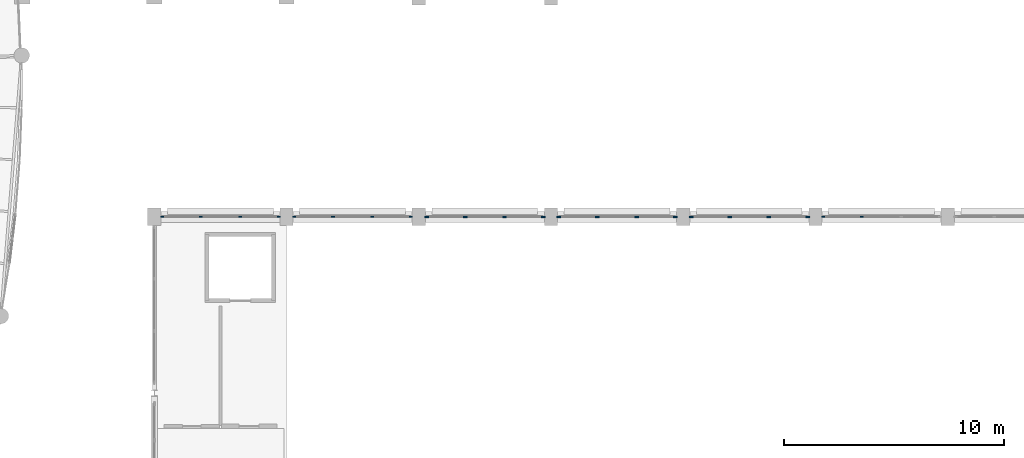
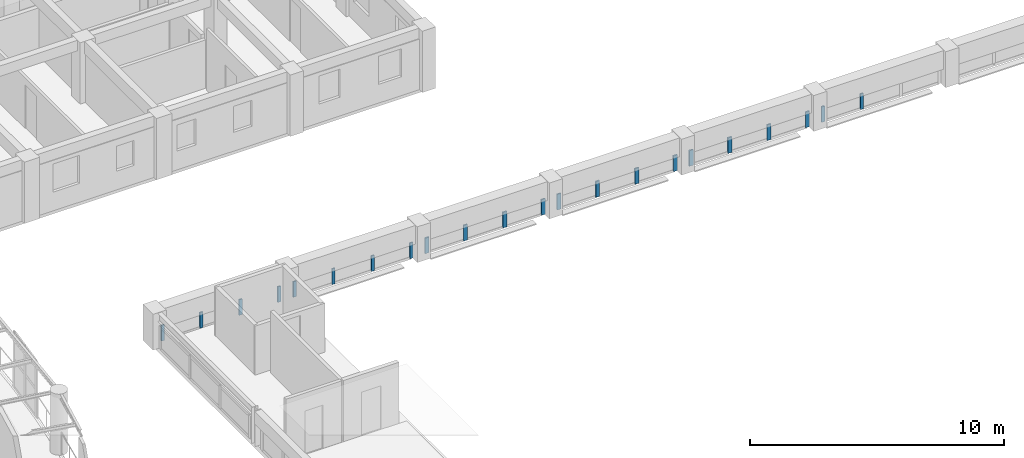
# One storey, part 71 of 137: 22 members, 6 elements without a shape of their own.
"""IFC4 building model written with IfcOpenShell, lengths in metres."""

from ifc_helpers import new_model, si_unit, direction, frame, origin, origin_2d, place, context, subcontext, project, spatial, rectangle, extrude, material, layer, layer_set, material_profile, profile_set, type_object, element, aggregate, save


model = new_model("IFC4")

# Units and contexts
model_context = context("Model", 3, precision=1e-05, world=origin(), true_north=direction((0.0, 1.0)))
body_context = subcontext(model_context, "Body", "Model", "MODEL_VIEW")
ifc_project = project(units=[si_unit("LENGTHUNIT", "METRE"), si_unit("AREAUNIT", "SQUARE_METRE"), si_unit("VOLUMEUNIT", "CUBIC_METRE"), si_unit("PLANEANGLEUNIT", "RADIAN"), si_unit("MASSUNIT", "GRAM", prefix="KILO"), si_unit("POWERUNIT", "WATT"), si_unit("THERMODYNAMICTEMPERATUREUNIT", "KELVIN")], contexts=[model_context])

# Site, building, storey
site_placement = place(None, origin())
site = spatial("IfcSite", under=ifc_project, at=site_placement, CompositionType="ELEMENT")
building_placement = place(site_placement, origin())
building = spatial("IfcBuilding", under=site, at=building_placement, Name="Ruvembo Vaulted Housing Court", CompositionType="ELEMENT")
storey_placement = place(building_placement, frame((0.0, 0.0, 4.5)))
storey = spatial("IfcBuildingStorey", under=building, at=storey_placement, Name="L01", CompositionType="ELEMENT", Elevation=4.5)

# Curtain wall, members
ifc_material_1 = material(Name="Anodised Aluminium and Solar-Control Glass", Category="aluminium")
ifc_layer = layer(ifc_material_1, 0.139892578125, Name="Anodised Aluminium and Solar-Control Glass")
ifc_layer_set = layer_set([ifc_layer], Name="Anodised Aluminium and Solar-Control Glass")
curtain_wall_type = type_object("IfcCurtainWallType", Name="CW-HALL-CLER", PredefinedType="NOTDEFINED", material=ifc_layer_set)
curtain_wall_1_placement = place(storey_placement, origin())
curtain_wall_1 = element("IfcCurtainWall", 1, at=curtain_wall_1_placement, inside=storey, type_object=curtain_wall_type, Name="L01 Curtain Wall CW-L01-0092", PredefinedType="NOTDEFINED")
ifc_material_2 = material(Name="Anodised Aluminium 6063-T6", Category="aluminium")
ifc_material_profile_1 = material_profile(ifc_material_2, rectangle(XDim=0.06005859375, YDim=0.139892578125, at=origin_2d()), Name="ALU 60x140")
ifc_profile_set_1 = profile_set([ifc_material_profile_1], Name="Anodised Aluminium 6063-T6")
member_type_1 = type_object("IfcMemberType", Name="CW-MUL-60x140", PredefinedType="MULLION", material=ifc_profile_set_1)
member_1_placement = place(storey_placement, frame((66.35498046875, 68.0, 0.0), z_axis=(0.0, 0.0, 1.0), x_axis=(0.0, 1.0, 0.0)))
member_1 = element("IfcMember", 2, at=member_1_placement, type_object=member_type_1, Name="CW7 mullion 1", PredefinedType="MULLION", context=body_context, shape_type="SweptSolid", body=[
    extrude(rectangle(XDim=0.06005859375, YDim=0.139892578125, at=origin_2d()), origin(), (0.0, 0.0, 1.0), 0.75),
])
member_2_placement = place(storey_placement, frame((68.1083984375, 68.0, 0.0), z_axis=(0.0, 0.0, 1.0), x_axis=(0.0, 1.0, 0.0)))
member_2 = element("IfcMember", 3, at=member_2_placement, type_object=member_type_1, Name="CW7 mullion 2", PredefinedType="MULLION", context=body_context, shape_type="SweptSolid", body=[
    extrude(rectangle(XDim=0.06005859375, YDim=0.139892578125, at=origin_2d()), origin(), (0.0, 0.0, 1.0), 0.75),
])
member_3_placement = place(storey_placement, frame((69.8916015625, 68.0, 0.0), z_axis=(0.0, 0.0, 1.0), x_axis=(0.0, 1.0, 0.0)))
member_3 = element("IfcMember", 4, at=member_3_placement, type_object=member_type_1, Name="CW7 mullion 3", PredefinedType="MULLION", context=body_context, shape_type="SweptSolid", body=[
    extrude(rectangle(XDim=0.06005859375, YDim=0.139892578125, at=origin_2d()), origin(), (0.0, 0.0, 1.0), 0.75),
])
member_4_placement = place(storey_placement, frame((71.64501953125, 68.0, 0.0), z_axis=(0.0, 0.0, 1.0), x_axis=(0.0, 1.0, 0.0)))
member_4 = element("IfcMember", 5, at=member_4_placement, type_object=member_type_1, Name="CW7 mullion 4", PredefinedType="MULLION", context=body_context, shape_type="SweptSolid", body=[
    extrude(rectangle(XDim=0.06005859375, YDim=0.139892578125, at=origin_2d()), origin(), (0.0, 0.0, 1.0), 0.75),
])
aggregate(curtain_wall_1, [member_1, member_2, member_3, member_4])

curtain_wall_2_placement = place(storey_placement, origin())
curtain_wall_2 = element("IfcCurtainWall", 6, at=curtain_wall_2_placement, inside=storey, type_object=curtain_wall_type, Name="L01 Curtain Wall CW-L01-0096", PredefinedType="NOTDEFINED")
member_5_placement = place(storey_placement, frame((72.35498046875, 68.0, 0.0), z_axis=(0.0, 0.0, 1.0), x_axis=(0.0, 1.0, 0.0)))
member_5 = element("IfcMember", 7, at=member_5_placement, type_object=member_type_1, Name="CW7 mullion 1", PredefinedType="MULLION", context=body_context, shape_type="SweptSolid", body=[
    extrude(rectangle(XDim=0.06005859375, YDim=0.139892578125, at=origin_2d()), origin(), (0.0, 0.0, 1.0), 0.75),
])
member_6_placement = place(storey_placement, frame((74.1083984375, 68.0, 0.0), z_axis=(0.0, 0.0, 1.0), x_axis=(0.0, 1.0, 0.0)))
member_6 = element("IfcMember", 8, at=member_6_placement, type_object=member_type_1, Name="CW7 mullion 2", PredefinedType="MULLION", context=body_context, shape_type="SweptSolid", body=[
    extrude(rectangle(XDim=0.06005859375, YDim=0.139892578125, at=origin_2d()), origin(), (0.0, 0.0, 1.0), 0.75),
])
member_7_placement = place(storey_placement, frame((75.8916015625, 68.0, 0.0), z_axis=(0.0, 0.0, 1.0), x_axis=(0.0, 1.0, 0.0)))
member_7 = element("IfcMember", 9, at=member_7_placement, type_object=member_type_1, Name="CW7 mullion 3", PredefinedType="MULLION", context=body_context, shape_type="SweptSolid", body=[
    extrude(rectangle(XDim=0.06005859375, YDim=0.139892578125, at=origin_2d()), origin(), (0.0, 0.0, 1.0), 0.75),
])
member_8_placement = place(storey_placement, frame((77.64501953125, 68.0, 0.0), z_axis=(0.0, 0.0, 1.0), x_axis=(0.0, 1.0, 0.0)))
member_8 = element("IfcMember", 10, at=member_8_placement, type_object=member_type_1, Name="CW7 mullion 4", PredefinedType="MULLION", context=body_context, shape_type="SweptSolid", body=[
    extrude(rectangle(XDim=0.06005859375, YDim=0.139892578125, at=origin_2d()), origin(), (0.0, 0.0, 1.0), 0.75),
])
aggregate(curtain_wall_2, [member_5, member_6, member_7, member_8])

curtain_wall_3_placement = place(storey_placement, origin())
curtain_wall_3 = element("IfcCurtainWall", 11, at=curtain_wall_3_placement, inside=storey, type_object=curtain_wall_type, Name="L01 Curtain Wall CW-L01-0108", PredefinedType="NOTDEFINED")
member_9_placement = place(storey_placement, frame((96.35498046875, 68.0, 0.0), z_axis=(0.0, 0.0, 1.0), x_axis=(0.0, 1.0, 0.0)))
member_9 = element("IfcMember", 12, at=member_9_placement, type_object=member_type_1, Name="CW7 mullion 1", PredefinedType="MULLION", context=body_context, shape_type="SweptSolid", body=[
    extrude(rectangle(XDim=0.06005859375, YDim=0.139892578125, at=origin_2d()), origin(), (0.0, 0.0, 1.0), 0.75),
])
member_10_placement = place(storey_placement, frame((98.1083984375, 68.0, 0.0), z_axis=(0.0, 0.0, 1.0), x_axis=(0.0, 1.0, 0.0)))
member_10 = element("IfcMember", 13, at=member_10_placement, type_object=member_type_1, Name="CW7 mullion 2", PredefinedType="MULLION", context=body_context, shape_type="SweptSolid", body=[
    extrude(rectangle(XDim=0.06005859375, YDim=0.139892578125, at=origin_2d()), origin(), (0.0, 0.0, 1.0), 0.75),
])
aggregate(curtain_wall_3, [member_9, member_10])

curtain_wall_4_placement = place(storey_placement, origin())
curtain_wall_4 = element("IfcCurtainWall", 14, at=curtain_wall_4_placement, inside=storey, type_object=curtain_wall_type, Name="L01 Curtain Wall CW-L01-0098", PredefinedType="NOTDEFINED")
ifc_material_profile_2 = material_profile(ifc_material_2, rectangle(XDim=0.06494140625, YDim=0.179931640625, at=origin_2d()), Name="ALU 65x180")
ifc_profile_set_2 = profile_set([ifc_material_profile_2], Name="Anodised Aluminium 6063-T6")
member_type_2 = type_object("IfcMemberType", Name="CW-MUL-65x180", PredefinedType="MULLION", material=ifc_profile_set_2)
member_11_placement = place(storey_placement, frame((78.357421875, 68.0, 0.0), z_axis=(0.0, 0.0, 1.0), x_axis=(0.0, 1.0, 0.0)))
member_11 = element("IfcMember", 15, at=member_11_placement, type_object=member_type_2, Name="CW7 mullion 1", PredefinedType="MULLION", context=body_context, shape_type="SweptSolid", body=[
    extrude(rectangle(XDim=0.06494140625, YDim=0.179931640625, at=origin_2d()), origin(), (0.0, 0.0, 1.0), 0.75),
])
member_12_placement = place(storey_placement, frame((80.1083984375, 68.0, 0.0), z_axis=(0.0, 0.0, 1.0), x_axis=(0.0, 1.0, 0.0)))
member_12 = element("IfcMember", 16, at=member_12_placement, type_object=member_type_2, Name="CW7 mullion 2", PredefinedType="MULLION", context=body_context, shape_type="SweptSolid", body=[
    extrude(rectangle(XDim=0.06494140625, YDim=0.179931640625, at=origin_2d()), origin(), (0.0, 0.0, 1.0), 0.75),
])
member_13_placement = place(storey_placement, frame((81.8916015625, 68.0, 0.0), z_axis=(0.0, 0.0, 1.0), x_axis=(0.0, 1.0, 0.0)))
member_13 = element("IfcMember", 17, at=member_13_placement, type_object=member_type_2, Name="CW7 mullion 3", PredefinedType="MULLION", context=body_context, shape_type="SweptSolid", body=[
    extrude(rectangle(XDim=0.06494140625, YDim=0.179931640625, at=origin_2d()), origin(), (0.0, 0.0, 1.0), 0.75),
])
member_14_placement = place(storey_placement, frame((83.642578125, 68.0, 0.0), z_axis=(0.0, 0.0, 1.0), x_axis=(0.0, 1.0, 0.0)))
member_14 = element("IfcMember", 18, at=member_14_placement, type_object=member_type_2, Name="CW7 mullion 4", PredefinedType="MULLION", context=body_context, shape_type="SweptSolid", body=[
    extrude(rectangle(XDim=0.06494140625, YDim=0.179931640625, at=origin_2d()), origin(), (0.0, 0.0, 1.0), 0.75),
])
aggregate(curtain_wall_4, [member_11, member_12, member_13, member_14])

curtain_wall_5_placement = place(storey_placement, origin())
curtain_wall_5 = element("IfcCurtainWall", 19, at=curtain_wall_5_placement, inside=storey, type_object=curtain_wall_type, Name="L01 Curtain Wall CW-L01-0102", PredefinedType="NOTDEFINED")
member_15_placement = place(storey_placement, frame((84.357421875, 68.0, 0.0), z_axis=(0.0, 0.0, 1.0), x_axis=(0.0, 1.0, 0.0)))
member_15 = element("IfcMember", 20, at=member_15_placement, type_object=member_type_2, Name="CW7 mullion 1", PredefinedType="MULLION", context=body_context, shape_type="SweptSolid", body=[
    extrude(rectangle(XDim=0.06494140625, YDim=0.179931640625, at=origin_2d()), origin(), (0.0, 0.0, 1.0), 0.75),
])
member_16_placement = place(storey_placement, frame((86.1083984375, 68.0, 0.0), z_axis=(0.0, 0.0, 1.0), x_axis=(0.0, 1.0, 0.0)))
member_16 = element("IfcMember", 21, at=member_16_placement, type_object=member_type_2, Name="CW7 mullion 2", PredefinedType="MULLION", context=body_context, shape_type="SweptSolid", body=[
    extrude(rectangle(XDim=0.06494140625, YDim=0.179931640625, at=origin_2d()), origin(), (0.0, 0.0, 1.0), 0.75),
])
member_17_placement = place(storey_placement, frame((87.8916015625, 68.0, 0.0), z_axis=(0.0, 0.0, 1.0), x_axis=(0.0, 1.0, 0.0)))
member_17 = element("IfcMember", 22, at=member_17_placement, type_object=member_type_2, Name="CW7 mullion 3", PredefinedType="MULLION", context=body_context, shape_type="SweptSolid", body=[
    extrude(rectangle(XDim=0.06494140625, YDim=0.179931640625, at=origin_2d()), origin(), (0.0, 0.0, 1.0), 0.75),
])
member_18_placement = place(storey_placement, frame((89.642578125, 68.0, 0.0), z_axis=(0.0, 0.0, 1.0), x_axis=(0.0, 1.0, 0.0)))
member_18 = element("IfcMember", 23, at=member_18_placement, type_object=member_type_2, Name="CW7 mullion 4", PredefinedType="MULLION", context=body_context, shape_type="SweptSolid", body=[
    extrude(rectangle(XDim=0.06494140625, YDim=0.179931640625, at=origin_2d()), origin(), (0.0, 0.0, 1.0), 0.75),
])
aggregate(curtain_wall_5, [member_15, member_16, member_17, member_18])

curtain_wall_6_placement = place(storey_placement, origin())
curtain_wall_6 = element("IfcCurtainWall", 24, at=curtain_wall_6_placement, inside=storey, type_object=curtain_wall_type, Name="L01 Curtain Wall CW-L01-0106", PredefinedType="NOTDEFINED")
member_19_placement = place(storey_placement, frame((90.357421875, 68.0, 0.0), z_axis=(0.0, 0.0, 1.0), x_axis=(0.0, 1.0, 0.0)))
member_19 = element("IfcMember", 25, at=member_19_placement, type_object=member_type_2, Name="CW7 mullion 1", PredefinedType="MULLION", context=body_context, shape_type="SweptSolid", body=[
    extrude(rectangle(XDim=0.06494140625, YDim=0.179931640625, at=origin_2d()), origin(), (0.0, 0.0, 1.0), 0.75),
])
member_20_placement = place(storey_placement, frame((92.1083984375, 68.0, 0.0), z_axis=(0.0, 0.0, 1.0), x_axis=(0.0, 1.0, 0.0)))
member_20 = element("IfcMember", 26, at=member_20_placement, type_object=member_type_2, Name="CW7 mullion 2", PredefinedType="MULLION", context=body_context, shape_type="SweptSolid", body=[
    extrude(rectangle(XDim=0.06494140625, YDim=0.179931640625, at=origin_2d()), origin(), (0.0, 0.0, 1.0), 0.75),
])
member_21_placement = place(storey_placement, frame((93.8916015625, 68.0, 0.0), z_axis=(0.0, 0.0, 1.0), x_axis=(0.0, 1.0, 0.0)))
member_21 = element("IfcMember", 27, at=member_21_placement, type_object=member_type_2, Name="CW7 mullion 3", PredefinedType="MULLION", context=body_context, shape_type="SweptSolid", body=[
    extrude(rectangle(XDim=0.06494140625, YDim=0.179931640625, at=origin_2d()), origin(), (0.0, 0.0, 1.0), 0.75),
])
member_22_placement = place(storey_placement, frame((95.642578125, 68.0, 0.0), z_axis=(0.0, 0.0, 1.0), x_axis=(0.0, 1.0, 0.0)))
member_22 = element("IfcMember", 28, at=member_22_placement, type_object=member_type_2, Name="CW7 mullion 4", PredefinedType="MULLION", context=body_context, shape_type="SweptSolid", body=[
    extrude(rectangle(XDim=0.06494140625, YDim=0.179931640625, at=origin_2d()), origin(), (0.0, 0.0, 1.0), 0.75),
])
aggregate(curtain_wall_6, [member_19, member_20, member_21, member_22])

save(model, "model.ifc")
